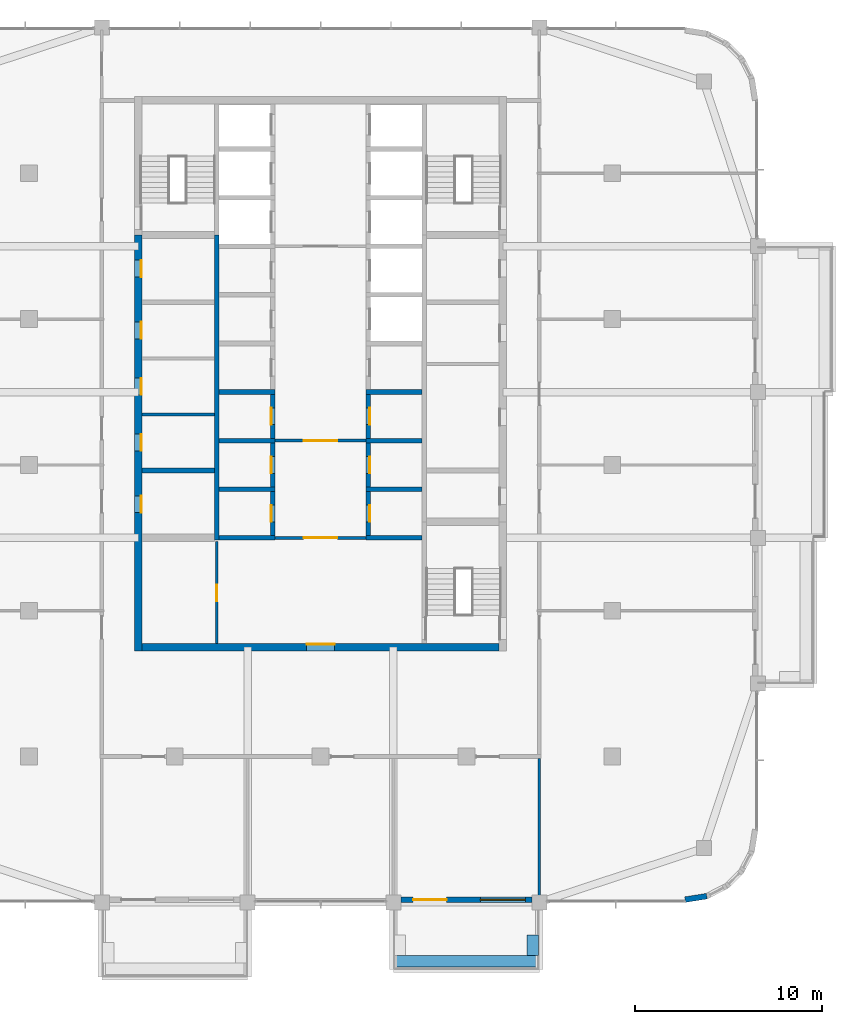
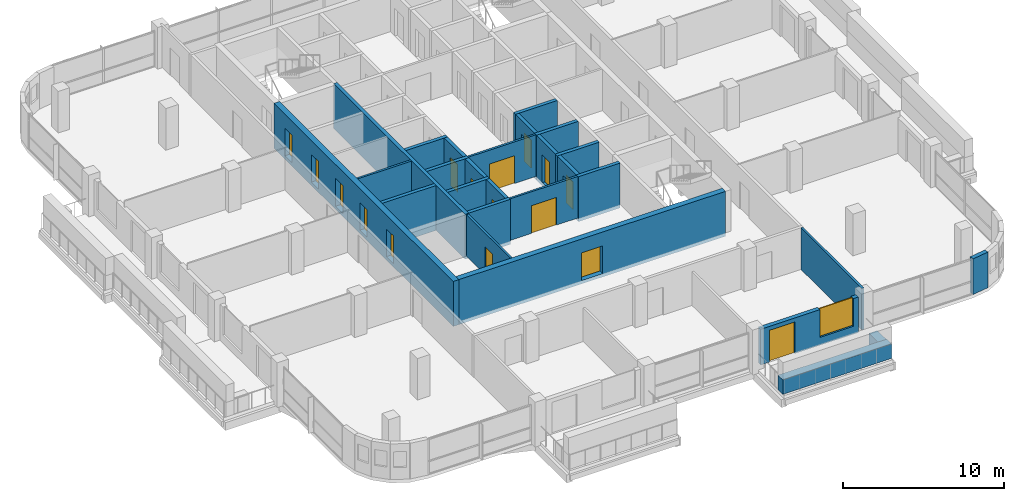
# One storey, part 13 of 22: 27 walls, 16 doors, 1 window, 17 openings.
"""IFC4 building model written with IfcOpenShell, lengths in metres."""

from ifc_helpers import new_model, si_unit, direction, frame, frame_2d, origin, place, context, subcontext, project, spatial, rectangle, extrude, material, layer, layer_set, type_object, element, fill, save


model = new_model("IFC4")

# Units and contexts
model_context = context("Model", 3, precision=1e-05, world=origin(), true_north=direction((0.0, 1.0)))
body_context = subcontext(model_context, "Body", "Model", "MODEL_VIEW")
ifc_project = project(units=[si_unit("LENGTHUNIT", "METRE"), si_unit("AREAUNIT", "SQUARE_METRE"), si_unit("VOLUMEUNIT", "CUBIC_METRE"), si_unit("PLANEANGLEUNIT", "RADIAN"), si_unit("MASSUNIT", "GRAM", prefix="KILO")], contexts=[model_context])

# Site, building, storey
site_placement = place(None, origin())
site = spatial("IfcSite", under=ifc_project, at=site_placement, CompositionType="ELEMENT")
building_placement = place(site_placement, origin())
building = spatial("IfcBuilding", under=site, at=building_placement, Name="Ludao Terraces", CompositionType="ELEMENT")
storey_placement = place(building_placement, frame((0.0, 0.0, 200.699951171875)))
storey = spatial("IfcBuildingStorey", under=building, at=storey_placement, Name="L54", CompositionType="ELEMENT", Elevation=200.699951171875)

# Wall, openings, doors
ifc_material_1 = material(Name="Concrete C50", Category="concrete")
ifc_layer_1 = layer(ifc_material_1, 0.39990234375)
ifc_layer_set_1 = layer_set([ifc_layer_1], Name="Core wall 400 C50")
wall_type_1 = type_object("IfcWallType", Name="Core wall 400 C50", PredefinedType="SOLIDWALL", material=ifc_layer_set_1)
wall_1_placement = place(storey_placement, frame((75.25, 55.050048828125, -0.25), z_axis=(0.0, 0.0, 1.0), x_axis=(0.0, 1.0, 0.0)))
wall_1 = element("IfcWall", 1, at=wall_1_placement, inside=storey, type_object=wall_type_1, Name="Core wall L54 outer-W", PredefinedType="SOLIDWALL", context=body_context, shape_type="SweptSolid", body=[
    extrude(rectangle(XDim=22.25, YDim=0.39990234375, at=frame_2d((11.125, 0.0))), origin(), (0.0, 0.0, 1.0), 3.400146484375),
])
opening_1_placement = place(wall_1_placement, frame((7.39990234375, 0.0, 0.25)))
opening_1 = element("IfcOpeningElement", 2, at=opening_1_placement, cuts=wall_1, Name="Opening C3-013", PredefinedType="OPENING", context=body_context, shape_type="SweptSolid", body=[
    extrude(rectangle(XDim=0.89990234375, YDim=2.10009765625, at=frame_2d((0.449951171875, 1.050048828125))), frame((0.0, 0.2099609375, 0.0), z_axis=(0.0, -1.0, 0.0), x_axis=(1.0, 0.0, 0.0)), (0.0, 0.0, 1.0), 0.419921875),
])
opening_2_placement = place(wall_1_placement, frame((10.699951171875, 0.0, 0.25)))
opening_2 = element("IfcOpeningElement", 3, at=opening_2_placement, cuts=wall_1, Name="Opening C3-019", PredefinedType="OPENING", context=body_context, shape_type="SweptSolid", body=[
    extrude(rectangle(XDim=0.89990234375, YDim=2.10009765625, at=frame_2d((0.449951171875, 1.050048828125))), frame((0.0, 0.2099609375, 0.0), z_axis=(0.0, -1.0, 0.0), x_axis=(1.0, 0.0, 0.0)), (0.0, 0.0, 1.0), 0.419921875),
])
opening_3_placement = place(wall_1_placement, frame((13.699951171875, 0.0, 0.25)))
opening_3 = element("IfcOpeningElement", 4, at=opening_3_placement, cuts=wall_1, Name="Opening C3-026", PredefinedType="OPENING", context=body_context, shape_type="SweptSolid", body=[
    extrude(rectangle(XDim=0.89990234375, YDim=2.10009765625, at=frame_2d((0.449951171875, 1.050048828125))), frame((0.0, 0.2099609375, 0.0), z_axis=(0.0, -1.0, 0.0), x_axis=(1.0, 0.0, 0.0)), (0.0, 0.0, 1.0), 0.419921875),
])
opening_4_placement = place(wall_1_placement, frame((16.699951171875, 0.0, 0.25)))
opening_4 = element("IfcOpeningElement", 5, at=opening_4_placement, cuts=wall_1, Name="Opening C3-030", PredefinedType="OPENING", context=body_context, shape_type="SweptSolid", body=[
    extrude(rectangle(XDim=0.89990234375, YDim=2.10009765625, at=frame_2d((0.449951171875, 1.050048828125))), frame((0.0, 0.2099609375, 0.0), z_axis=(0.0, -1.0, 0.0), x_axis=(1.0, 0.0, 0.0)), (0.0, 0.0, 1.0), 0.419921875),
])
opening_5_placement = place(wall_1_placement, frame((20.0, 0.0, 0.25)))
opening_5 = element("IfcOpeningElement", 6, at=opening_5_placement, cuts=wall_1, Name="Opening C3-036", PredefinedType="OPENING", context=body_context, shape_type="SweptSolid", body=[
    extrude(rectangle(XDim=0.89990234375, YDim=2.10009765625, at=frame_2d((0.449951171875, 1.050048828125))), frame((0.0, 0.2099609375, 0.0), z_axis=(0.0, -1.0, 0.0), x_axis=(1.0, 0.0, 0.0)), (0.0, 0.0, 1.0), 0.419921875),
])
ifc_material_2 = material(Name="Steel Q235", Category="steel")
door_type_1 = type_object("IfcDoorType", Name="INT Riser door 900", OperationType="SINGLE_SWING_LEFT", PredefinedType="DOOR", material=ifc_material_2)
door_1_placement = place(opening_1_placement, origin())
door_1 = element("IfcDoor", 7, at=door_1_placement, inside=storey, type_object=door_type_1, Name="DOOR 013", OperationType="SINGLE_SWING_RIGHT", OverallHeight=2.10009765625, OverallWidth=0.89990234375, PredefinedType="DOOR", context=body_context, shape_type="SweptSolid", body=[
    extrude(rectangle(XDim=0.89990234375, YDim=2.10009765625, at=frame_2d((0.449951171875, 1.050048828125))), frame((0.0, -0.134765625, 0.0), z_axis=(0.0, -1.0, 0.0), x_axis=(1.0, 0.0, 0.0)), (0.0, 0.0, 1.0), 0.050048828125),
])
fill(opening_1, door_1)
door_2_placement = place(opening_5_placement, origin())
door_2 = element("IfcDoor", 8, at=door_2_placement, inside=storey, type_object=door_type_1, Name="DOOR 036", OperationType="SINGLE_SWING_LEFT", OverallHeight=2.10009765625, OverallWidth=0.89990234375, PredefinedType="DOOR", context=body_context, shape_type="SweptSolid", body=[
    extrude(rectangle(XDim=0.89990234375, YDim=2.10009765625, at=frame_2d((0.449951171875, 1.050048828125))), frame((0.0, -0.134765625, 0.0), z_axis=(0.0, -1.0, 0.0), x_axis=(1.0, 0.0, 0.0)), (0.0, 0.0, 1.0), 0.050048828125),
])
fill(opening_5, door_2)
ifc_material_3 = material(Name="Timber door leaf", Category="wood")
door_type_2 = type_object("IfcDoorType", Name="INT Room door 900", OperationType="SINGLE_SWING_LEFT", PredefinedType="DOOR", material=ifc_material_3)
door_3_placement = place(opening_2_placement, origin())
door_3 = element("IfcDoor", 9, at=door_3_placement, inside=storey, type_object=door_type_2, Name="DOOR 019", OperationType="SINGLE_SWING_RIGHT", OverallHeight=2.10009765625, OverallWidth=0.89990234375, PredefinedType="DOOR", context=body_context, shape_type="SweptSolid", body=[
    extrude(rectangle(XDim=0.89990234375, YDim=2.10009765625, at=frame_2d((0.449951171875, 1.050048828125))), frame((0.0, -0.134765625, 0.0), z_axis=(0.0, -1.0, 0.0), x_axis=(1.0, 0.0, 0.0)), (0.0, 0.0, 1.0), 0.050048828125),
])
fill(opening_2, door_3)
door_4_placement = place(opening_3_placement, origin())
door_4 = element("IfcDoor", 10, at=door_4_placement, inside=storey, type_object=door_type_2, Name="DOOR 026", OperationType="SINGLE_SWING_LEFT", OverallHeight=2.10009765625, OverallWidth=0.89990234375, PredefinedType="DOOR", context=body_context, shape_type="SweptSolid", body=[
    extrude(rectangle(XDim=0.89990234375, YDim=2.10009765625, at=frame_2d((0.449951171875, 1.050048828125))), frame((0.0, -0.134765625, 0.0), z_axis=(0.0, -1.0, 0.0), x_axis=(1.0, 0.0, 0.0)), (0.0, 0.0, 1.0), 0.050048828125),
])
fill(opening_3, door_4)
door_5_placement = place(opening_4_placement, origin())
door_5 = element("IfcDoor", 11, at=door_5_placement, inside=storey, type_object=door_type_2, Name="DOOR 030", OperationType="SINGLE_SWING_LEFT", OverallHeight=2.10009765625, OverallWidth=0.89990234375, PredefinedType="DOOR", context=body_context, shape_type="SweptSolid", body=[
    extrude(rectangle(XDim=0.89990234375, YDim=2.10009765625, at=frame_2d((0.449951171875, 1.050048828125))), frame((0.0, -0.134765625, 0.0), z_axis=(0.0, -1.0, 0.0), x_axis=(1.0, 0.0, 0.0)), (0.0, 0.0, 1.0), 0.050048828125),
])
fill(opening_4, door_5)

# Wall, opening, door
wall_2_placement = place(storey_placement, frame((75.449951171875, 55.25, -0.25), z_axis=(0.0, 0.0, 1.0), x_axis=(1.0, 0.0, 0.0)))
wall_2 = element("IfcWall", 12, at=wall_2_placement, inside=storey, type_object=wall_type_1, Name="Core wall L54 outer-S", PredefinedType="SOLIDWALL", context=body_context, shape_type="SweptSolid", body=[
    extrude(rectangle(XDim=19.10009765625, YDim=0.39990234375, at=frame_2d((9.550048828125, 0.0))), origin(), (0.0, 0.0, 1.0), 3.400146484375),
])
opening_6_placement = place(wall_2_placement, frame((8.800048828125, 0.0, 0.25)))
opening_6 = element("IfcOpeningElement", 13, at=opening_6_placement, cuts=wall_2, Name="Opening C3-004", PredefinedType="OPENING", context=body_context, shape_type="SweptSolid", body=[
    extrude(rectangle(XDim=1.5, YDim=2.10009765625, at=frame_2d((0.75, 1.050048828125))), frame((0.0, 0.2099609375, 0.0), z_axis=(0.0, -1.0, 0.0), x_axis=(1.0, 0.0, 0.0)), (0.0, 0.0, 1.0), 0.419921875),
])
door_type_3 = type_object("IfcDoorType", Name="INT Lobby door 1500", OperationType="DOUBLE_DOOR_SINGLE_SWING", PredefinedType="DOOR", material=ifc_material_2)
door_6_placement = place(opening_6_placement, origin())
door_6 = element("IfcDoor", 14, at=door_6_placement, inside=storey, type_object=door_type_3, Name="DOOR 004", OperationType="DOUBLE_DOOR_SINGLE_SWING", OverallHeight=2.10009765625, OverallWidth=1.5, PredefinedType="DOOR", context=body_context, shape_type="SweptSolid", body=[
    extrude(rectangle(XDim=1.5, YDim=2.10009765625, at=frame_2d((0.75, 1.050048828125))), frame((0.0, 0.18505859375, 0.0), z_axis=(0.0, -1.0, 0.0), x_axis=(1.0, 0.0, 0.0)), (0.0, 0.0, 1.0), 0.050048828125),
])
fill(opening_6, door_6)

# Walls
ifc_material_4 = material(Name="Concrete C40", Category="concrete")
ifc_layer_2 = layer(ifc_material_4, 0.60009765625)
ifc_layer_set_2 = layer_set([ifc_layer_2], Name="ENV Planter trough 600")
wall_type_2 = type_object("IfcWallType", Name="ENV Planter trough 600", PredefinedType="USERDEFINED", material=ifc_layer_set_2)
wall_3_placement = place(storey_placement, frame((88.89990234375, 38.449951171875, 0.0), z_axis=(0.0, 0.0, 1.0), x_axis=(1.0, 0.0, 0.0)))
element("IfcWall", 15, at=wall_3_placement, inside=storey, type_object=wall_type_2, Name="PL-L54-S3", ObjectType="PLANTER", PredefinedType="USERDEFINED", context=body_context, shape_type="SweptSolid", body=[
    extrude(rectangle(XDim=7.800048828125, YDim=0.60009765625, at=frame_2d((3.89990234375, 0.0))), origin(), (0.0, 0.0, 1.0), 1.10009765625),
])
wall_4_placement = place(storey_placement, frame((96.35009765625, 38.75, 0.0), z_axis=(0.0, 0.0, 1.0), x_axis=(0.0, 1.0, 0.0)))
element("IfcWall", 16, at=wall_4_placement, inside=storey, type_object=wall_type_2, Name="PL-L54-S3-SB", ObjectType="PLANTER", PredefinedType="USERDEFINED", context=body_context, shape_type="SweptSolid", body=[
    extrude(rectangle(XDim=1.10009765625, YDim=0.60009765625, at=frame_2d((0.550048828125, 0.0))), origin(), (0.0, 0.0, 1.0), 1.10009765625),
])

# Wall, openings, door, window
ifc_material_5 = material(Name="Granite cladding", Category="masonry")
ifc_layer_3 = layer(ifc_material_5, 0.0400390625, Category="stone")
ifc_material_6 = material(Name="Mineral wool")
ifc_layer_4 = layer(ifc_material_6, 0.06005859375)
ifc_layer_5 = layer(ifc_material_4, 0.199951171875, Category="concrete")
ifc_layer_set_3 = layer_set([ifc_layer_3, ifc_layer_4, ifc_layer_5], Name="ENV Stone-clad wall 300")
wall_type_3 = type_object("IfcWallType", Name="ENV Stone-clad wall 300", PredefinedType="SOLIDWALL", material=ifc_layer_set_3)
wall_5_placement = place(storey_placement, frame((89.300048828125, 41.75, 0.0), z_axis=(0.0, 0.0, 1.0), x_axis=(1.0, 0.0, 0.0)))
wall_5 = element("IfcWall", 17, at=wall_5_placement, inside=storey, type_object=wall_type_3, Name="EW-L54-S4", PredefinedType="SOLIDWALL", context=body_context, shape_type="SweptSolid", body=[
    extrude(rectangle(XDim=7.0, YDim=0.300048828125, at=frame_2d((3.5, 0.0))), origin(), (0.0, 0.0, 1.0), 2.699951171875),
])
opening_7_placement = place(wall_5_placement, frame((0.64990234375, 0.0, 0.0)))
opening_7 = element("IfcOpeningElement", 18, at=opening_7_placement, cuts=wall_5, Name="Opening BD", PredefinedType="OPENING", context=body_context, shape_type="SweptSolid", body=[
    extrude(rectangle(XDim=1.800048828125, YDim=2.39990234375, at=frame_2d((0.89990234375, 1.199951171875))), frame((0.0, 0.16015625, 0.0), z_axis=(0.0, -1.0, 0.0), x_axis=(1.0, 0.0, 0.0)), (0.0, 0.0, 1.0), 0.320068359375),
])
opening_8_placement = place(wall_5_placement, frame((4.25, 0.0, 0.60009765625)))
opening_8 = element("IfcOpeningElement", 19, at=opening_8_placement, cuts=wall_5, Name="Opening W4", PredefinedType="OPENING", context=body_context, shape_type="SweptSolid", body=[
    extrude(rectangle(XDim=2.39990234375, YDim=2.10009765625, at=frame_2d((1.199951171875, 1.050048828125))), frame((0.0, 0.16015625, 0.0), z_axis=(0.0, -1.0, 0.0), x_axis=(1.0, 0.0, 0.0)), (0.0, 0.0, 1.0), 0.320068359375),
])
ifc_material_7 = material(Name="Aluminium glazed door", Category="aluminium")
ifc_layer_6 = layer(ifc_material_7, 0.06005859375)
ifc_layer_set_4 = layer_set([ifc_layer_6], Name="ENV Balcony door BD 1800x2400")
door_type_4 = type_object("IfcDoorType", Name="ENV Balcony door BD 1800x2400", OperationType="DOUBLE_DOOR_SINGLE_SWING", PredefinedType="DOOR", material=ifc_layer_set_4)
door_7_placement = place(opening_7_placement, origin())
door_7 = element("IfcDoor", 20, at=door_7_placement, inside=storey, type_object=door_type_4, Name="BD-L54-S4-1", OperationType="DOUBLE_DOOR_SINGLE_SWING", OverallHeight=2.39990234375, OverallWidth=1.800048828125, PredefinedType="DOOR", context=body_context, shape_type="SweptSolid", body=[
    extrude(rectangle(XDim=1.800048828125, YDim=2.39990234375, at=frame_2d((0.89990234375, 1.199951171875))), frame((0.0, 0.02490234375, 0.0), z_axis=(0.0, -1.0, 0.0), x_axis=(1.0, 0.0, 0.0)), (0.0, 0.0, 1.0), 0.050048828125),
])
fill(opening_7, door_7)
ifc_material_8 = material(Name="Clear glass in aluminium frame", Category="aluminium")
ifc_layer_7 = layer(ifc_material_8, 0.06005859375)
ifc_layer_set_5 = layer_set([ifc_layer_7], Name="ENV Window W4 2400x2100")
window_type = type_object("IfcWindowType", Name="ENV Window W4 2400x2100", PartitioningType="SINGLE_PANEL", PredefinedType="WINDOW", material=ifc_layer_set_5)
window_placement = place(opening_8_placement, origin())
window = element("IfcWindow", 21, at=window_placement, inside=storey, type_object=window_type, Name="W-L54-S4-2", OverallHeight=2.10009765625, OverallWidth=2.39990234375, PartitioningType="SINGLE_PANEL", PredefinedType="WINDOW", context=body_context, shape_type="SweptSolid", body=[
    extrude(rectangle(XDim=2.39990234375, YDim=2.10009765625, at=frame_2d((1.199951171875, 1.050048828125))), frame((0.0, 0.030029296875, 0.0), z_axis=(0.0, -1.0, 0.0), x_axis=(1.0, 0.0, 0.0)), (0.0, 0.0, 1.0), 0.06005859375),
])
fill(opening_8, window)

# Wall
wall_6_placement = place(storey_placement, frame((104.5, 41.75, 0.0), z_axis=(0.0, 0.0, 1.0), x_axis=(0.987678452879, 0.156496880861, 0.0)))
element("IfcWall", 22, at=wall_6_placement, inside=storey, type_object=wall_type_3, Name="EW-L54-SE1", PredefinedType="SOLIDWALL", context=body_context, shape_type="SweptSolid", body=[
    extrude(rectangle(XDim=1.173095703125, YDim=0.300048828125, at=frame_2d((0.58642578125, 0.0))), origin(), (0.0, 0.0, 1.0), 2.699951171875),
])

# Wall, opening, door
ifc_material_9 = material(Name="Fire-rated gypsum plasterboard", Category="gypsum")
ifc_layer_8 = layer(ifc_material_9, 0.012451171875, Category="gypsum")
ifc_layer_9 = layer(ifc_material_6, 0.10009765625, Name="insulation")
ifc_layer_10 = layer(ifc_material_2, 0.02490234375, Name="stud")
ifc_layer_11 = layer(ifc_material_9, 0.012451171875, Category="gypsum")
ifc_layer_set_6 = layer_set([ifc_layer_8, ifc_layer_9, ifc_layer_10, ifc_layer_11], Name="INT Core partition 150")
wall_type_4 = type_object("IfcWallType", Name="INT Core partition 150", PredefinedType="PARTITIONING", material=ifc_layer_set_6)
wall_7_placement = place(storey_placement, frame((82.5751953125, 61.10009765625, 0.0), z_axis=(0.0, 0.0, 1.0), x_axis=(1.0, 0.0, 0.0)))
wall_7 = element("IfcWall", 23, at=wall_7_placement, inside=storey, type_object=wall_type_4, Name="PW-L54-PW003", PredefinedType="PARTITIONING", context=body_context, shape_type="SweptSolid", body=[
    extrude(rectangle(XDim=4.849853515625, YDim=0.14990234375, at=frame_2d((2.4248046875, 0.0))), origin(), (0.0, 0.0, 1.0), 3.150146484375),
])
opening_9_placement = place(wall_7_placement, frame((1.52490234375, 0.0, 0.0)))
opening_9 = element("IfcOpeningElement", 24, at=opening_9_placement, cuts=wall_7, Name="Opening C3-010", PredefinedType="OPENING", context=body_context, shape_type="SweptSolid", body=[
    extrude(rectangle(XDim=1.800048828125, YDim=2.10009765625, at=frame_2d((0.89990234375, 1.050048828125))), frame((0.0, 0.0849609375, 0.0), z_axis=(0.0, -1.0, 0.0), x_axis=(1.0, 0.0, 0.0)), (0.0, 0.0, 1.0), 0.169921875),
])
door_type_5 = type_object("IfcDoorType", Name="INT Fire lobby door 1800", OperationType="DOUBLE_DOOR_SINGLE_SWING", PredefinedType="DOOR", material=ifc_material_2)
door_8_placement = place(opening_9_placement, origin())
door_8 = element("IfcDoor", 25, at=door_8_placement, inside=storey, type_object=door_type_5, Name="DOOR 010", OperationType="DOUBLE_DOOR_SINGLE_SWING", OverallHeight=2.10009765625, OverallWidth=1.800048828125, PredefinedType="DOOR", context=body_context, shape_type="SweptSolid", body=[
    extrude(rectangle(XDim=1.800048828125, YDim=2.10009765625, at=frame_2d((0.89990234375, 1.050048828125))), frame((0.0, 0.02490234375, 0.0), z_axis=(0.0, -1.0, 0.0), x_axis=(1.0, 0.0, 0.0)), (0.0, 0.0, 1.0), 0.050048828125),
])
fill(opening_9, door_8)

wall_8_placement = place(storey_placement, frame((82.5751953125, 66.300048828125, 0.0), z_axis=(0.0, 0.0, 1.0), x_axis=(1.0, 0.0, 0.0)))
wall_8 = element("IfcWall", 26, at=wall_8_placement, inside=storey, type_object=wall_type_4, Name="PW-L54-PW006", PredefinedType="PARTITIONING", context=body_context, shape_type="SweptSolid", body=[
    extrude(rectangle(XDim=4.849853515625, YDim=0.14990234375, at=frame_2d((2.4248046875, 0.0))), origin(), (0.0, 0.0, 1.0), 3.150146484375),
])
opening_10_placement = place(wall_8_placement, frame((1.52490234375, 0.0, 0.0)))
opening_10 = element("IfcOpeningElement", 27, at=opening_10_placement, cuts=wall_8, Name="Opening C3-020", PredefinedType="OPENING", context=body_context, shape_type="SweptSolid", body=[
    extrude(rectangle(XDim=1.800048828125, YDim=2.10009765625, at=frame_2d((0.89990234375, 1.050048828125))), frame((0.0, 0.0849609375, 0.0), z_axis=(0.0, -1.0, 0.0), x_axis=(1.0, 0.0, 0.0)), (0.0, 0.0, 1.0), 0.169921875),
])
door_9_placement = place(opening_10_placement, origin())
door_9 = element("IfcDoor", 28, at=door_9_placement, inside=storey, type_object=door_type_5, Name="DOOR 020", OperationType="DOUBLE_DOOR_SINGLE_SWING", OverallHeight=2.10009765625, OverallWidth=1.800048828125, PredefinedType="DOOR", context=body_context, shape_type="SweptSolid", body=[
    extrude(rectangle(XDim=1.800048828125, YDim=2.10009765625, at=frame_2d((0.89990234375, 1.050048828125))), frame((0.0, 0.02490234375, 0.0), z_axis=(0.0, -1.0, 0.0), x_axis=(1.0, 0.0, 0.0)), (0.0, 0.0, 1.0), 0.050048828125),
])
fill(opening_10, door_9)

# Wall
wall_9_placement = place(storey_placement, frame((75.4501953125, 67.699951171875, 0.0), z_axis=(0.0, 0.0, 1.0), x_axis=(1.0, 0.0, 0.0)))
element("IfcWall", 29, at=wall_9_placement, inside=storey, type_object=wall_type_4, Name="PW-L54-PW007", PredefinedType="PARTITIONING", context=body_context, shape_type="SweptSolid", body=[
    extrude(rectangle(XDim=3.875, YDim=0.14990234375, at=frame_2d((1.9375, 0.0))), origin(), (0.0, 0.0, 1.0), 3.150146484375),
])

# Wall, opening, door
wall_10_placement = place(storey_placement, frame((79.449951171875, 55.4501953125, 0.0), z_axis=(0.0, 0.0, 1.0), x_axis=(0.0, 1.0, 0.0)))
wall_10 = element("IfcWall", 30, at=wall_10_placement, inside=storey, type_object=wall_type_4, Name="PW-L54-PW019", PredefinedType="PARTITIONING", context=body_context, shape_type="SweptSolid", body=[
    extrude(rectangle(XDim=5.449951171875, YDim=0.14990234375, at=frame_2d((2.72509765625, 0.0))), origin(), (0.0, 0.0, 1.0), 3.150146484375),
])
opening_11_placement = place(wall_10_placement, frame((2.25, 0.0, 0.0)))
opening_11 = element("IfcOpeningElement", 31, at=opening_11_placement, cuts=wall_10, Name="Opening C3-009", PredefinedType="OPENING", context=body_context, shape_type="SweptSolid", body=[
    extrude(rectangle(XDim=0.89990234375, YDim=2.10009765625, at=frame_2d((0.449951171875, 1.050048828125))), frame((0.0, 0.0849609375, 0.0), z_axis=(0.0, -1.0, 0.0), x_axis=(1.0, 0.0, 0.0)), (0.0, 0.0, 1.0), 0.169921875),
])
door_10_placement = place(opening_11_placement, origin())
door_10 = element("IfcDoor", 32, at=door_10_placement, inside=storey, type_object=door_type_2, Name="DOOR 009", OperationType="SINGLE_SWING_LEFT", OverallHeight=2.10009765625, OverallWidth=0.89990234375, PredefinedType="DOOR", context=body_context, shape_type="SweptSolid", body=[
    extrude(rectangle(XDim=0.89990234375, YDim=2.10009765625, at=frame_2d((0.449951171875, 1.050048828125))), frame((0.0, 0.02490234375, 0.0), z_axis=(0.0, -1.0, 0.0), x_axis=(1.0, 0.0, 0.0)), (0.0, 0.0, 1.0), 0.050048828125),
])
fill(opening_11, door_10)

# Walls
ifc_material_10 = material(Name="Autoclaved aerated concrete block B06 A3.5", Category="concrete")
ifc_layer_12 = layer(ifc_material_10, 0.14990234375)
ifc_layer_set_7 = layer_set([ifc_layer_12], Name="INT Party wall 150")
wall_type_5 = type_object("IfcWallType", Name="INT Party wall 150", PredefinedType="PARTITIONING", material=ifc_layer_set_7)
wall_11_placement = place(storey_placement, frame((96.699951171875, 41.735107421875, 0.0), z_axis=(0.0, 0.0, 1.0), x_axis=(0.0, 1.0, 0.0)))
element("IfcWall", 33, at=wall_11_placement, inside=storey, type_object=wall_type_5, Name="PW-L54-PW022", PredefinedType="PARTITIONING", context=body_context, shape_type="SweptSolid", body=[
    extrude(rectangle(XDim=7.56494140625, YDim=0.14990234375, at=frame_2d((3.782470703125, 0.0))), origin(), (0.0, 0.0, 1.0), 3.150146484375),
])
ifc_layer_13 = layer(ifc_material_1, 0.25)
ifc_layer_set_8 = layer_set([ifc_layer_13], Name="Shaft wall 250 C50")
wall_type_6 = type_object("IfcWallType", Name="Shaft wall 250 C50", PredefinedType="SOLIDWALL", material=ifc_layer_set_8)
wall_12_placement = place(storey_placement, frame((79.449951171875, 60.97509765625, -0.25), z_axis=(0.0, 0.0, 1.0), x_axis=(0.0, 1.0, 0.0)))
element("IfcWall", 34, at=wall_12_placement, inside=storey, type_object=wall_type_6, Name="Core wall L54 back-W", PredefinedType="SOLIDWALL", context=body_context, shape_type="SweptSolid", body=[
    extrude(rectangle(XDim=16.324951171875, YDim=0.25, at=frame_2d((8.16259765625, 0.0))), origin(), (0.0, 0.0, 1.0), 3.400146484375),
])
wall_13_placement = place(storey_placement, frame((79.574951171875, 61.10009765625, -0.25), z_axis=(0.0, 0.0, 1.0), x_axis=(1.0, 0.0, 0.0)))
element("IfcWall", 35, at=wall_13_placement, inside=storey, type_object=wall_type_6, Name="Core wall L54 div-W1", PredefinedType="SOLIDWALL", context=body_context, shape_type="SweptSolid", body=[
    extrude(rectangle(XDim=3.0, YDim=0.25, at=frame_2d((1.5, 0.0))), origin(), (0.0, 0.0, 1.0), 3.400146484375),
])

# Wall, opening, door
wall_14_placement = place(storey_placement, frame((82.449951171875, 61.22509765625, -0.25), z_axis=(0.0, 0.0, 1.0), x_axis=(0.0, 1.0, 0.0)))
wall_14 = element("IfcWall", 36, at=wall_14_placement, inside=storey, type_object=wall_type_6, Name="Core wall L54 front-W1", PredefinedType="SOLIDWALL", context=body_context, shape_type="SweptSolid", body=[
    extrude(rectangle(XDim=2.349853515625, YDim=0.25, at=frame_2d((1.1748046875, 0.0))), origin(), (0.0, 0.0, 1.0), 3.400146484375),
])
opening_12_placement = place(wall_14_placement, frame((0.72509765625, 0.0, 0.25)))
opening_12 = element("IfcOpeningElement", 37, at=opening_12_placement, cuts=wall_14, Name="Opening C3-011", PredefinedType="OPENING", context=body_context, shape_type="SweptSolid", body=[
    extrude(rectangle(XDim=0.89990234375, YDim=2.10009765625, at=frame_2d((0.449951171875, 1.050048828125))), frame((0.0, 0.135009765625, 0.0), z_axis=(0.0, -1.0, 0.0), x_axis=(1.0, 0.0, 0.0)), (0.0, 0.0, 1.0), 0.27001953125),
])
door_11_placement = place(opening_12_placement, origin())
door_11 = element("IfcDoor", 38, at=door_11_placement, inside=storey, type_object=door_type_2, Name="DOOR 011", OperationType="SINGLE_SWING_LEFT", OverallHeight=2.10009765625, OverallWidth=0.89990234375, PredefinedType="DOOR", context=body_context, shape_type="SweptSolid", body=[
    extrude(rectangle(XDim=0.89990234375, YDim=2.10009765625, at=frame_2d((0.449951171875, 1.050048828125))), frame((0.0, 0.10986328125, 0.0), z_axis=(0.0, -1.0, 0.0), x_axis=(1.0, 0.0, 0.0)), (0.0, 0.0, 1.0), 0.050048828125),
])
fill(opening_12, door_11)

# Wall
wall_15_placement = place(storey_placement, frame((79.574951171875, 63.699951171875, -0.25), z_axis=(0.0, 0.0, 1.0), x_axis=(1.0, 0.0, 0.0)))
element("IfcWall", 39, at=wall_15_placement, inside=storey, type_object=wall_type_6, Name="Core wall L54 div-W2", PredefinedType="SOLIDWALL", context=body_context, shape_type="SweptSolid", body=[
    extrude(rectangle(XDim=3.0, YDim=0.25, at=frame_2d((1.5, 0.0))), origin(), (0.0, 0.0, 1.0), 3.400146484375),
])

# Wall, opening, door
wall_16_placement = place(storey_placement, frame((82.449951171875, 63.824951171875, -0.25), z_axis=(0.0, 0.0, 1.0), x_axis=(0.0, 1.0, 0.0)))
wall_16 = element("IfcWall", 40, at=wall_16_placement, inside=storey, type_object=wall_type_6, Name="Core wall L54 front-W2", PredefinedType="SOLIDWALL", context=body_context, shape_type="SweptSolid", body=[
    extrude(rectangle(XDim=2.35009765625, YDim=0.25, at=frame_2d((1.175048828125, 0.0))), origin(), (0.0, 0.0, 1.0), 3.400146484375),
])
opening_13_placement = place(wall_16_placement, frame((0.72509765625, 0.0, 0.25)))
opening_13 = element("IfcOpeningElement", 41, at=opening_13_placement, cuts=wall_16, Name="Opening C3-017", PredefinedType="OPENING", context=body_context, shape_type="SweptSolid", body=[
    extrude(rectangle(XDim=0.89990234375, YDim=2.10009765625, at=frame_2d((0.449951171875, 1.050048828125))), frame((0.0, 0.135009765625, 0.0), z_axis=(0.0, -1.0, 0.0), x_axis=(1.0, 0.0, 0.0)), (0.0, 0.0, 1.0), 0.27001953125),
])
door_12_placement = place(opening_13_placement, origin())
door_12 = element("IfcDoor", 42, at=door_12_placement, inside=storey, type_object=door_type_2, Name="DOOR 017", OperationType="SINGLE_SWING_LEFT", OverallHeight=2.10009765625, OverallWidth=0.89990234375, PredefinedType="DOOR", context=body_context, shape_type="SweptSolid", body=[
    extrude(rectangle(XDim=0.89990234375, YDim=2.10009765625, at=frame_2d((0.449951171875, 1.050048828125))), frame((0.0, 0.10986328125, 0.0), z_axis=(0.0, -1.0, 0.0), x_axis=(1.0, 0.0, 0.0)), (0.0, 0.0, 1.0), 0.050048828125),
])
fill(opening_13, door_12)

# Wall
wall_17_placement = place(storey_placement, frame((79.574951171875, 66.300048828125, -0.25), z_axis=(0.0, 0.0, 1.0), x_axis=(1.0, 0.0, 0.0)))
element("IfcWall", 43, at=wall_17_placement, inside=storey, type_object=wall_type_6, Name="Core wall L54 div-W3", PredefinedType="SOLIDWALL", context=body_context, shape_type="SweptSolid", body=[
    extrude(rectangle(XDim=3.0, YDim=0.25, at=frame_2d((1.5, 0.0))), origin(), (0.0, 0.0, 1.0), 3.400146484375),
])

# Wall, opening, door
wall_18_placement = place(storey_placement, frame((82.449951171875, 66.425048828125, -0.25), z_axis=(0.0, 0.0, 1.0), x_axis=(0.0, 1.0, 0.0)))
wall_18 = element("IfcWall", 44, at=wall_18_placement, inside=storey, type_object=wall_type_6, Name="Core wall L54 front-W3", PredefinedType="SOLIDWALL", context=body_context, shape_type="SweptSolid", body=[
    extrude(rectangle(XDim=2.349853515625, YDim=0.25, at=frame_2d((1.1748046875, 0.0))), origin(), (0.0, 0.0, 1.0), 3.400146484375),
])
opening_14_placement = place(wall_18_placement, frame((0.72509765625, 0.0, 0.25)))
opening_14 = element("IfcOpeningElement", 45, at=opening_14_placement, cuts=wall_18, Name="Opening C3-023", PredefinedType="OPENING", context=body_context, shape_type="SweptSolid", body=[
    extrude(rectangle(XDim=0.89990234375, YDim=2.10009765625, at=frame_2d((0.449951171875, 1.050048828125))), frame((0.0, 0.135009765625, 0.0), z_axis=(0.0, -1.0, 0.0), x_axis=(1.0, 0.0, 0.0)), (0.0, 0.0, 1.0), 0.27001953125),
])
door_13_placement = place(opening_14_placement, origin())
door_13 = element("IfcDoor", 46, at=door_13_placement, inside=storey, type_object=door_type_2, Name="DOOR 023", OperationType="SINGLE_SWING_LEFT", OverallHeight=2.10009765625, OverallWidth=0.89990234375, PredefinedType="DOOR", context=body_context, shape_type="SweptSolid", body=[
    extrude(rectangle(XDim=0.89990234375, YDim=2.10009765625, at=frame_2d((0.449951171875, 1.050048828125))), frame((0.0, 0.10986328125, 0.0), z_axis=(0.0, -1.0, 0.0), x_axis=(1.0, 0.0, 0.0)), (0.0, 0.0, 1.0), 0.050048828125),
])
fill(opening_14, door_13)

# Walls
for number, where, z_axis, x_axis, name in (
    (47, (79.574951171875, 68.89990234375, -0.25), (0.0, 0.0, 1.0), (1.0, 0.0, 0.0), "Core wall L54 div-W4"),
    (48, (87.425048828125, 61.10009765625, -0.25), (0.0, 0.0, 1.0), (1.0, 0.0, 0.0), "Core wall L54 div-E1"),
):
    element("IfcWall", number, at=place(storey_placement, frame(where, z_axis=z_axis, x_axis=x_axis)), inside=storey, type_object=wall_type_6, Name=name, PredefinedType="SOLIDWALL", context=body_context, shape_type="SweptSolid", body=[
        extrude(rectangle(XDim=3.0, YDim=0.25, at=frame_2d((1.5, 0.0))), origin(), (0.0, 0.0, 1.0), 3.400146484375),
    ])

# Wall, opening, door
wall_19_placement = place(storey_placement, frame((87.550048828125, 61.22509765625, -0.25), z_axis=(0.0, 0.0, 1.0), x_axis=(0.0, 1.0, 0.0)))
wall_19 = element("IfcWall", 49, at=wall_19_placement, inside=storey, type_object=wall_type_6, Name="Core wall L54 front-E1", PredefinedType="SOLIDWALL", context=body_context, shape_type="SweptSolid", body=[
    extrude(rectangle(XDim=2.349853515625, YDim=0.25, at=frame_2d((1.1748046875, 0.0))), origin(), (0.0, 0.0, 1.0), 3.400146484375),
])
opening_15_placement = place(wall_19_placement, frame((0.72509765625, 0.0, 0.25)))
opening_15 = element("IfcOpeningElement", 50, at=opening_15_placement, cuts=wall_19, Name="Opening C3-012", PredefinedType="OPENING", context=body_context, shape_type="SweptSolid", body=[
    extrude(rectangle(XDim=0.89990234375, YDim=2.10009765625, at=frame_2d((0.449951171875, 1.050048828125))), frame((0.0, 0.135009765625, 0.0), z_axis=(0.0, -1.0, 0.0), x_axis=(1.0, 0.0, 0.0)), (0.0, 0.0, 1.0), 0.27001953125),
])
door_14_placement = place(opening_15_placement, origin())
door_14 = element("IfcDoor", 51, at=door_14_placement, inside=storey, type_object=door_type_2, Name="DOOR 012", OperationType="SINGLE_SWING_RIGHT", OverallHeight=2.10009765625, OverallWidth=0.89990234375, PredefinedType="DOOR", context=body_context, shape_type="SweptSolid", body=[
    extrude(rectangle(XDim=0.89990234375, YDim=2.10009765625, at=frame_2d((0.449951171875, 1.050048828125))), frame((0.0, -0.06005859375, 0.0), z_axis=(0.0, -1.0, 0.0), x_axis=(1.0, 0.0, 0.0)), (0.0, 0.0, 1.0), 0.050048828125),
])
fill(opening_15, door_14)

# Wall
wall_20_placement = place(storey_placement, frame((87.425048828125, 63.699951171875, -0.25), z_axis=(0.0, 0.0, 1.0), x_axis=(1.0, 0.0, 0.0)))
element("IfcWall", 52, at=wall_20_placement, inside=storey, type_object=wall_type_6, Name="Core wall L54 div-E2", PredefinedType="SOLIDWALL", context=body_context, shape_type="SweptSolid", body=[
    extrude(rectangle(XDim=3.0, YDim=0.25, at=frame_2d((1.5, 0.0))), origin(), (0.0, 0.0, 1.0), 3.400146484375),
])

# Wall, opening, door
wall_21_placement = place(storey_placement, frame((87.550048828125, 63.824951171875, -0.25), z_axis=(0.0, 0.0, 1.0), x_axis=(0.0, 1.0, 0.0)))
wall_21 = element("IfcWall", 53, at=wall_21_placement, inside=storey, type_object=wall_type_6, Name="Core wall L54 front-E2", PredefinedType="SOLIDWALL", context=body_context, shape_type="SweptSolid", body=[
    extrude(rectangle(XDim=2.35009765625, YDim=0.25, at=frame_2d((1.175048828125, 0.0))), origin(), (0.0, 0.0, 1.0), 3.400146484375),
])
opening_16_placement = place(wall_21_placement, frame((0.72509765625, 0.0, 0.25)))
opening_16 = element("IfcOpeningElement", 54, at=opening_16_placement, cuts=wall_21, Name="Opening C3-018", PredefinedType="OPENING", context=body_context, shape_type="SweptSolid", body=[
    extrude(rectangle(XDim=0.89990234375, YDim=2.10009765625, at=frame_2d((0.449951171875, 1.050048828125))), frame((0.0, 0.135009765625, 0.0), z_axis=(0.0, -1.0, 0.0), x_axis=(1.0, 0.0, 0.0)), (0.0, 0.0, 1.0), 0.27001953125),
])
door_15_placement = place(opening_16_placement, origin())
door_15 = element("IfcDoor", 55, at=door_15_placement, inside=storey, type_object=door_type_2, Name="DOOR 018", OperationType="SINGLE_SWING_RIGHT", OverallHeight=2.10009765625, OverallWidth=0.89990234375, PredefinedType="DOOR", context=body_context, shape_type="SweptSolid", body=[
    extrude(rectangle(XDim=0.89990234375, YDim=2.10009765625, at=frame_2d((0.449951171875, 1.050048828125))), frame((0.0, -0.06005859375, 0.0), z_axis=(0.0, -1.0, 0.0), x_axis=(1.0, 0.0, 0.0)), (0.0, 0.0, 1.0), 0.050048828125),
])
fill(opening_16, door_15)

# Wall
wall_22_placement = place(storey_placement, frame((87.425048828125, 66.300048828125, -0.25), z_axis=(0.0, 0.0, 1.0), x_axis=(1.0, 0.0, 0.0)))
element("IfcWall", 56, at=wall_22_placement, inside=storey, type_object=wall_type_6, Name="Core wall L54 div-E3", PredefinedType="SOLIDWALL", context=body_context, shape_type="SweptSolid", body=[
    extrude(rectangle(XDim=3.0, YDim=0.25, at=frame_2d((1.5, 0.0))), origin(), (0.0, 0.0, 1.0), 3.400146484375),
])

# Wall, opening, door
wall_23_placement = place(storey_placement, frame((87.550048828125, 66.425048828125, -0.25), z_axis=(0.0, 0.0, 1.0), x_axis=(0.0, 1.0, 0.0)))
wall_23 = element("IfcWall", 57, at=wall_23_placement, inside=storey, type_object=wall_type_6, Name="Core wall L54 front-E3", PredefinedType="SOLIDWALL", context=body_context, shape_type="SweptSolid", body=[
    extrude(rectangle(XDim=2.349853515625, YDim=0.25, at=frame_2d((1.1748046875, 0.0))), origin(), (0.0, 0.0, 1.0), 3.400146484375),
])
opening_17_placement = place(wall_23_placement, frame((0.72509765625, 0.0, 0.25)))
opening_17 = element("IfcOpeningElement", 58, at=opening_17_placement, cuts=wall_23, Name="Opening C3-024", PredefinedType="OPENING", context=body_context, shape_type="SweptSolid", body=[
    extrude(rectangle(XDim=0.89990234375, YDim=2.10009765625, at=frame_2d((0.449951171875, 1.050048828125))), frame((0.0, 0.135009765625, 0.0), z_axis=(0.0, -1.0, 0.0), x_axis=(1.0, 0.0, 0.0)), (0.0, 0.0, 1.0), 0.27001953125),
])
door_16_placement = place(opening_17_placement, origin())
door_16 = element("IfcDoor", 59, at=door_16_placement, inside=storey, type_object=door_type_2, Name="DOOR 024", OperationType="SINGLE_SWING_RIGHT", OverallHeight=2.10009765625, OverallWidth=0.89990234375, PredefinedType="DOOR", context=body_context, shape_type="SweptSolid", body=[
    extrude(rectangle(XDim=0.89990234375, YDim=2.10009765625, at=frame_2d((0.449951171875, 1.050048828125))), frame((0.0, -0.06005859375, 0.0), z_axis=(0.0, -1.0, 0.0), x_axis=(1.0, 0.0, 0.0)), (0.0, 0.0, 1.0), 0.050048828125),
])
fill(opening_17, door_16)

# Walls
wall_24_placement = place(storey_placement, frame((87.425048828125, 68.89990234375, -0.25), z_axis=(0.0, 0.0, 1.0), x_axis=(1.0, 0.0, 0.0)))
element("IfcWall", 60, at=wall_24_placement, inside=storey, type_object=wall_type_6, Name="Core wall L54 div-E4", PredefinedType="SOLIDWALL", context=body_context, shape_type="SweptSolid", body=[
    extrude(rectangle(XDim=3.0, YDim=0.25, at=frame_2d((1.5, 0.0))), origin(), (0.0, 0.0, 1.0), 3.400146484375),
])
wall_25_placement = place(storey_placement, frame((75.449951171875, 64.699951171875, -0.25), z_axis=(0.0, 0.0, 1.0), x_axis=(1.0, 0.0, 0.0)))
element("IfcWall", 61, at=wall_25_placement, inside=storey, type_object=wall_type_6, Name="Core wall L54 riser-a-W", PredefinedType="SOLIDWALL", context=body_context, shape_type="SweptSolid", body=[
    extrude(rectangle(XDim=3.875, YDim=0.25, at=frame_2d((1.9375, 0.0))), origin(), (0.0, 0.0, 1.0), 3.400146484375),
])

save(model, "model.ifc")
